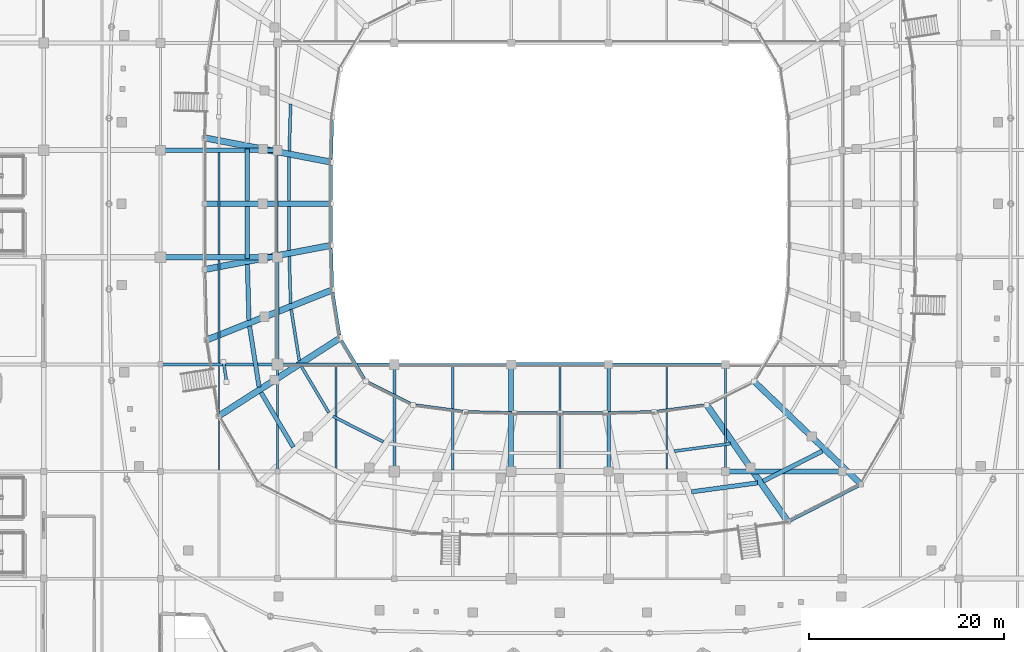
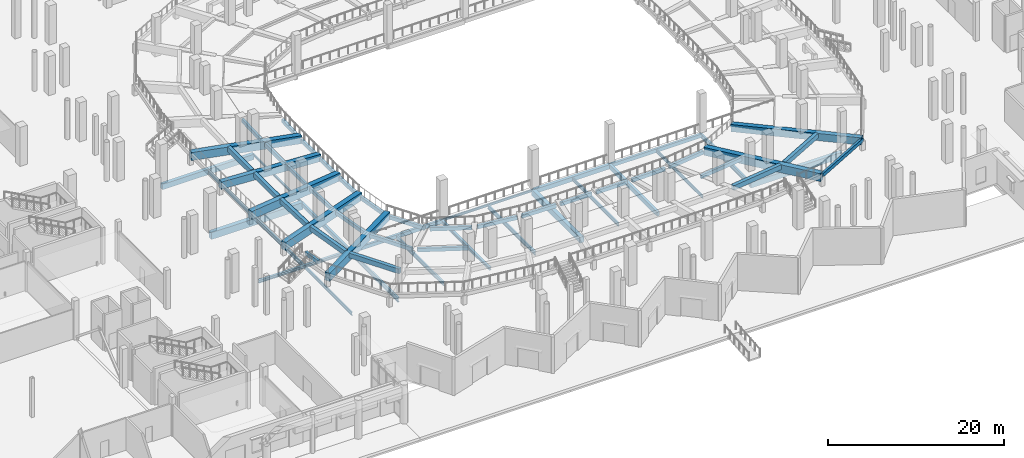
# One storey, part 20 of 120: 59 beams.
"""IFC4 building model written with IfcOpenShell, lengths in metres."""

from ifc_helpers import new_model, si_unit, direction, frame, origin, origin_2d, place, context, subcontext, project, spatial, rectangle, hollow_rectangle, i_section, extrude, material, material_profile, profile_set, type_object, element, save


model = new_model("IFC4")

# Units and contexts
model_context = context("Model", 3, precision=1e-05, world=origin(), true_north=direction((0.0, 1.0)))
body_context = subcontext(model_context, "Body", "Model", "MODEL_VIEW")
ifc_project = project(units=[si_unit("LENGTHUNIT", "METRE"), si_unit("AREAUNIT", "SQUARE_METRE"), si_unit("VOLUMEUNIT", "CUBIC_METRE"), si_unit("PLANEANGLEUNIT", "RADIAN"), si_unit("MASSUNIT", "GRAM", prefix="KILO")], contexts=[model_context])

# Site, building, storey
site_placement = place(None, origin())
site = spatial("IfcSite", under=ifc_project, at=site_placement, CompositionType="ELEMENT")
building_placement = place(site_placement, origin())
building = spatial("IfcBuilding", under=site, at=building_placement, Name="Luwafu Chhajja Arena", CompositionType="ELEMENT")
storey_placement = place(building_placement, origin())
storey = spatial("IfcBuildingStorey", under=building, at=storey_placement, Name="L00", CompositionType="ELEMENT", Elevation=0.0)

# Beams
ifc_material_1 = material(Name="Concrete C35/45", Category="concrete")
ifc_material_profile_1 = material_profile(ifc_material_1, rectangle(XDim=0.35009765625, YDim=0.60009765625, at=origin_2d()), Name="RC 350x600")
ifc_profile_set_1 = profile_set([ifc_material_profile_1], Name="Concrete C35/45")
beam_type_1 = type_object("IfcBeamType", Name="Arcade Tie Beam RC 350x600", PredefinedType="BEAM", material=ifc_profile_set_1)
beam_1_placement = place(storey_placement, frame((104.0, 22.0, -0.64990234375), z_axis=(0.0, 1.0, 0.0), x_axis=(-1.0, 0.0, 0.0)))
element("IfcBeam", 1, at=beam_1_placement, inside=storey, type_object=beam_type_1, Name="L00 Grid Beam 10/C-D", PredefinedType="BEAM", context=body_context, shape_type="SweptSolid", body=[
    extrude(rectangle(XDim=0.35009765625, YDim=0.60009765625, at=origin_2d()), origin(), (0.0, 0.0, 1.0), 11.0),
])
ifc_material_2 = material(Name="Precast concrete C40/50", Category="concrete")
ifc_material_profile_2 = material_profile(ifc_material_2, rectangle(XDim=0.449951171875, YDim=0.64990234375, at=origin_2d()), Name="RC 450x650")
ifc_profile_set_2 = profile_set([ifc_material_profile_2], Name="Precast concrete C40/50")
beam_type_2 = type_object("IfcBeamType", Name="Bowl Tier Ring Beam RC 450x650", PredefinedType="BEAM", material=ifc_profile_set_2)
for number, where, z_axis, x_axis, name in (
    (2, (66.908203125, 55.12109375, 1.304931640625), (-0.001469573614, -0.999998920176, 0.0), (0.999998920176, -0.001469573614, 0.0), "Lower Tier Ring Beam S16-B3"),
    (3, (66.900390625, 49.195068359375, 1.304931640625), (0.001469573614, -0.999998920176, 0.0), (0.999998920176, 0.001469573614, 0.0), "Lower Tier Ring Beam S17-B3"),
):
    element("IfcBeam", number, at=place(storey_placement, frame(where, z_axis=z_axis, x_axis=x_axis)), inside=storey, type_object=beam_type_2, Name=name, PredefinedType="BEAM", context=body_context, shape_type="SweptSolid", body=[
        extrude(rectangle(XDim=0.449951171875, YDim=0.64990234375, at=origin_2d()), origin(), (0.0, 0.0, 1.0), 5.316162109375),
    ])
beam_2_placement = place(storey_placement, frame((66.917236328125, 43.26904296875, 1.304931640625), z_axis=(0.02790877048, -0.9996104744, 0.0), x_axis=(0.9996104744, 0.02790877048, 0.0)))
element("IfcBeam", 4, at=beam_2_placement, inside=storey, type_object=beam_type_2, Name="Lower Tier Ring Beam S18-B3", PredefinedType="BEAM", context=body_context, shape_type="SweptSolid", body=[
    extrude(rectangle(XDim=0.449951171875, YDim=0.64990234375, at=origin_2d()), origin(), (0.0, 0.0, 1.0), 5.738525390625),
])
beam_3_placement = place(storey_placement, frame((67.13330078125, 36.926513671875, 1.304931640625), z_axis=(0.155447556013, -0.987844146275, 0.0), x_axis=(0.987844146275, 0.155447556013, 0.0)))
element("IfcBeam", 5, at=beam_3_placement, inside=storey, type_object=beam_type_2, Name="Lower Tier Ring Beam S19-B3", PredefinedType="BEAM", context=body_context, shape_type="SweptSolid", body=[
    extrude(rectangle(XDim=0.449951171875, YDim=0.64990234375, at=origin_2d()), origin(), (0.0, 0.0, 1.0), 6.329345703125),
])
beam_4_placement = place(storey_placement, frame((68.319580078125, 30.110107421875, 1.304931640625), z_axis=(0.507802544164, -0.861473491258, 0.0), x_axis=(0.861473491258, 0.507802544164, 0.0)))
element("IfcBeam", 6, at=beam_4_placement, inside=storey, type_object=beam_type_2, Name="Lower Tier Ring Beam S20-B3", PredefinedType="BEAM", context=body_context, shape_type="SweptSolid", body=[
    extrude(rectangle(XDim=0.449951171875, YDim=0.64990234375, at=origin_2d()), origin(), (0.0, 0.0, 1.0), 6.516357421875),
])
beam_5_placement = place(storey_placement, frame((112.521484375, 19.91357421875, 1.304931640625), z_axis=(0.990929994437, 0.134379113429, 0.0), x_axis=(-0.134379113429, 0.990929994437, 0.0)))
element("IfcBeam", 7, at=beam_5_placement, inside=storey, type_object=beam_type_2, Name="Lower Tier Ring Beam S27-B3", PredefinedType="BEAM", context=body_context, shape_type="SweptSolid", body=[
    extrude(rectangle(XDim=0.449951171875, YDim=0.64990234375, at=origin_2d()), origin(), (0.0, 0.0, 1.0), 6.842041015625),
])
beam_6_placement = place(storey_placement, frame((119.87548828125, 21.01220703125, 1.304931640625), z_axis=(0.891546916396, 0.452928356216, 0.0), x_axis=(-0.452928356216, 0.891546916396, 0.0)))
element("IfcBeam", 8, at=beam_6_placement, inside=storey, type_object=beam_type_2, Name="Lower Tier Ring Beam S28-B3", PredefinedType="BEAM", context=body_context, shape_type="SweptSolid", body=[
    extrude(rectangle(XDim=0.449951171875, YDim=0.64990234375, at=origin_2d()), origin(), (0.0, 0.0, 1.0), 6.807373046875),
])
ifc_material_3 = material(Name="Steel S355", Category="steel")
ifc_material_profile_3 = material_profile(ifc_material_3, i_section(OverallWidth=0.165771484375, OverallDepth=0.306640625, WebThickness=0.006591796875, FlangeThickness=0.01171875, at=origin_2d()), Name="UB 305x165x46")
ifc_profile_set_3 = profile_set([ifc_material_profile_3], Name="Steel S355")
beam_type_3 = type_object("IfcBeamType", Name="Concourse Edge Spandrel Beam UB 305x165x46", PredefinedType="SPANDREL", material=ifc_profile_set_3)
beam_7_placement = place(storey_placement, frame((82.0, 33.0, -0.50341796875), z_axis=(1.0, 0.0, 0.0), x_axis=(0.0, 1.0, 0.0)))
element("IfcBeam", 9, at=beam_7_placement, inside=storey, type_object=beam_type_3, Name="L00 Grid Beam 8-9/D", PredefinedType="SPANDREL", context=body_context, shape_type="SweptSolid", body=[
    extrude(i_section(OverallWidth=0.165771484375, OverallDepth=0.306640625, WebThickness=0.006591796875, FlangeThickness=0.01171875, at=origin_2d()), origin(), (0.0, 0.0, 1.0), 12.0),
])
beam_8_placement = place(storey_placement, frame((70.0, 44.0, -0.50341796875), z_axis=(0.0, 1.0, 0.0), x_axis=(-1.0, 0.0, 0.0)))
element("IfcBeam", 10, at=beam_8_placement, inside=storey, type_object=beam_type_3, Name="L00 Grid Beam 7/E-F", PredefinedType="SPANDREL", context=body_context, shape_type="SweptSolid", body=[
    extrude(i_section(OverallWidth=0.165771484375, OverallDepth=0.306640625, WebThickness=0.006591796875, FlangeThickness=0.01171875, at=origin_2d()), origin(), (0.0, 0.0, 1.0), 11.0),
])
ifc_material_profile_4 = material_profile(ifc_material_1, rectangle(XDim=0.550048828125, YDim=0.949951171875, at=origin_2d()), Name="RC 550x950")
ifc_profile_set_4 = profile_set([ifc_material_profile_4], Name="Concrete C35/45")
beam_type_4 = type_object("IfcBeamType", Name="Concourse Radial Girder RC 550x950", PredefinedType="BEAM", material=ifc_profile_set_4)
beam_9_placement = place(storey_placement, frame((58.0, 44.0, -0.824951171875), z_axis=(1.0, 0.0, 0.0), x_axis=(0.0, 1.0, 0.0)))
element("IfcBeam", 11, at=beam_9_placement, inside=storey, type_object=beam_type_4, Name="L00 Grid Beam 6-7/E", PredefinedType="BEAM", context=body_context, shape_type="SweptSolid", body=[
    extrude(rectangle(XDim=0.550048828125, YDim=0.949951171875, at=origin_2d()), origin(), (0.0, 0.0, 1.0), 12.0),
])
ifc_material_profile_5 = material_profile(ifc_material_3, i_section(OverallWidth=0.15283203125, OverallDepth=0.45458984375, WebThickness=0.008056640625, FlangeThickness=0.01318359375, at=origin_2d()), Name="UB 457x152x60")
ifc_profile_set_5 = profile_set([ifc_material_profile_5], Name="Steel S355")
beam_type_5 = type_object("IfcBeamType", Name="Floor Joist UB 457x152x60", PredefinedType="JOIST", material=ifc_profile_set_5)
beam_10_placement = place(storey_placement, frame((64.0, 22.14990234375, -0.577392578125), z_axis=(0.0, 1.0, 0.0), x_axis=(-1.0, 0.0, 0.0)))
element("IfcBeam", 12, at=beam_10_placement, inside=storey, type_object=beam_type_5, Name="L00 Secondary Joist 6-7/C", PredefinedType="JOIST", context=body_context, shape_type="SweptSolid", body=[
    extrude(i_section(OverallWidth=0.15283203125, OverallDepth=0.45458984375, WebThickness=0.008056640625, FlangeThickness=0.01318359375, at=origin_2d()), origin(), (0.0, 0.0, 1.0), 10.7001953125),
])
beam_11_placement = place(storey_placement, frame((110.0, 22.27490234375, -0.577392578125), z_axis=(0.0, 1.0, 0.0), x_axis=(-1.0, 0.0, 0.0)))
element("IfcBeam", 13, at=beam_11_placement, inside=storey, type_object=beam_type_5, Name="L00 Secondary Joist 10-11/C", PredefinedType="JOIST", context=body_context, shape_type="SweptSolid", body=[
    extrude(i_section(OverallWidth=0.15283203125, OverallDepth=0.45458984375, WebThickness=0.008056640625, FlangeThickness=0.01318359375, at=origin_2d()), origin(), (0.0, 0.0, 1.0), 10.5751953125),
])
ifc_material_profile_6 = material_profile(ifc_material_3, i_section(OverallWidth=0.19140625, OverallDepth=0.4599609375, WebThickness=0.010009765625, FlangeThickness=0.01611328125, at=origin_2d()), Name="UB 457x191x82")
ifc_profile_set_6 = profile_set([ifc_material_profile_6], Name="Steel S355")
beam_type_6 = type_object("IfcBeamType", Name="Floor Joist UB 457x191x82", PredefinedType="JOIST", material=ifc_profile_set_6)
beam_12_placement = place(storey_placement, frame((99.0, 22.300048828125, -0.580078125), z_axis=(0.0, 1.0, 0.0), x_axis=(-1.0, 0.0, 0.0)))
element("IfcBeam", 14, at=beam_12_placement, inside=storey, type_object=beam_type_6, Name="L00 Secondary Joist 9-10/C", PredefinedType="JOIST", context=body_context, shape_type="SweptSolid", body=[
    extrude(i_section(OverallWidth=0.19140625, OverallDepth=0.4599609375, WebThickness=0.010009765625, FlangeThickness=0.01611328125, at=origin_2d()), origin(), (0.0, 0.0, 1.0), 10.5),
])
ifc_material_profile_7 = material_profile(ifc_material_3, i_section(OverallWidth=0.2099609375, OverallDepth=0.53662109375, WebThickness=0.0107421875, FlangeThickness=0.017333984375, at=origin_2d()), Name="UB 533x210x101")
ifc_profile_set_7 = profile_set([ifc_material_profile_7], Name="Steel S355")
beam_type_7 = type_object("IfcBeamType", Name="Floor Joist UB 533x210x101", PredefinedType="JOIST", material=ifc_profile_set_7)
beam_13_placement = place(storey_placement, frame((64.0, 33.14990234375, -0.618408203125), z_axis=(0.0, 1.0, 0.0), x_axis=(-1.0, 0.0, 0.0)))
element("IfcBeam", 15, at=beam_13_placement, inside=storey, type_object=beam_type_7, Name="L00 Secondary Joist 6-7/D", PredefinedType="JOIST", context=body_context, shape_type="SweptSolid", body=[
    extrude(i_section(OverallWidth=0.2099609375, OverallDepth=0.53662109375, WebThickness=0.0107421875, FlangeThickness=0.017333984375, at=origin_2d()), origin(), (0.0, 0.0, 1.0), 10.5751953125),
])
beam_14_placement = place(storey_placement, frame((76.0, 22.14990234375, -0.618408203125), z_axis=(0.0, 1.0, 0.0), x_axis=(-1.0, 0.0, 0.0)))
element("IfcBeam", 16, at=beam_14_placement, inside=storey, type_object=beam_type_7, Name="L00 Secondary Joist 7-8/C", PredefinedType="JOIST", context=body_context, shape_type="SweptSolid", body=[
    extrude(i_section(OverallWidth=0.2099609375, OverallDepth=0.53662109375, WebThickness=0.0107421875, FlangeThickness=0.017333984375, at=origin_2d()), origin(), (0.0, 0.0, 1.0), 10.7001953125),
])
ifc_material_profile_8 = material_profile(ifc_material_3, i_section(OverallWidth=0.209228515625, OverallDepth=0.533203125, WebThickness=0.010009765625, FlangeThickness=0.015625, at=origin_2d()), Name="UB 533x210x92")
ifc_profile_set_8 = profile_set([ifc_material_profile_8], Name="Steel S355")
beam_type_8 = type_object("IfcBeamType", Name="Floor Joist UB 533x210x92", PredefinedType="JOIST", material=ifc_profile_set_8)
beam_15_placement = place(storey_placement, frame((64.0, 44.27490234375, -0.616455078125), z_axis=(0.0, 1.0, 0.0), x_axis=(-1.0, 0.0, 0.0)))
element("IfcBeam", 17, at=beam_15_placement, inside=storey, type_object=beam_type_8, Name="L00 Secondary Joist 6-7/E", PredefinedType="JOIST", context=body_context, shape_type="SweptSolid", body=[
    extrude(i_section(OverallWidth=0.209228515625, OverallDepth=0.533203125, WebThickness=0.010009765625, FlangeThickness=0.015625, at=origin_2d()), origin(), (0.0, 0.0, 1.0), 10.5),
])
beam_16_placement = place(storey_placement, frame((88.0, 22.14990234375, -0.616455078125), z_axis=(0.0, 1.0, 0.0), x_axis=(-1.0, 0.0, 0.0)))
element("IfcBeam", 18, at=beam_16_placement, inside=storey, type_object=beam_type_8, Name="L00 Secondary Joist 8-9/C", PredefinedType="JOIST", context=body_context, shape_type="SweptSolid", body=[
    extrude(i_section(OverallWidth=0.209228515625, OverallDepth=0.533203125, WebThickness=0.010009765625, FlangeThickness=0.015625, at=origin_2d()), origin(), (0.0, 0.0, 1.0), 10.76708984375),
])
ifc_material_profile_9 = material_profile(ifc_material_1, rectangle(XDim=0.5, YDim=0.800048828125, at=origin_2d()), Name="RC 500x800")
ifc_profile_set_9 = profile_set([ifc_material_profile_9], Name="Concrete C35/45")
beam_type_9 = type_object("IfcBeamType", Name="Hospitality Primary Beam RC 500x800", PredefinedType="BEAM", material=ifc_profile_set_9)
beam_17_placement = place(storey_placement, frame((116.0, 22.0, -0.75), z_axis=(1.0, 0.0, 0.0), x_axis=(0.0, 1.0, 0.0)))
element("IfcBeam", 19, at=beam_17_placement, inside=storey, type_object=beam_type_9, Name="L00 Grid Beam 11-12/C", PredefinedType="BEAM", context=body_context, shape_type="SweptSolid", body=[
    extrude(rectangle(XDim=0.5, YDim=0.800048828125, at=origin_2d()), origin(), (0.0, 0.0, 1.0), 12.0),
])
beam_18_placement = place(storey_placement, frame((94.0, 22.0, -0.75), z_axis=(0.0, 1.0, 0.0), x_axis=(-1.0, 0.0, 0.0)))
element("IfcBeam", 20, at=beam_18_placement, inside=storey, type_object=beam_type_9, Name="L00 Grid Beam 9/C-D", PredefinedType="BEAM", context=body_context, shape_type="SweptSolid", body=[
    extrude(rectangle(XDim=0.5, YDim=0.800048828125, at=origin_2d()), origin(), (0.0, 0.0, 1.0), 11.0),
])
ifc_material_profile_10 = material_profile(ifc_material_3, hollow_rectangle(XDim=0.300048828125, YDim=0.5, WallThickness=0.02001953125, at=origin_2d()), Name="RHS 500x300x20")
ifc_profile_set_10 = profile_set([ifc_material_profile_10], Name="Steel S355")
beam_type_10 = type_object("IfcBeamType", Name="Pleated Drum Spandrel Beam RHS 500x300", PredefinedType="SPANDREL", material=ifc_profile_set_10)
for number, where, z_axis, x_axis, name in (
    (21, (70.0, 33.0, -0.60009765625), (1.0, 0.0, 0.0), (0.0, 1.0, 0.0), "L00 Grid Beam 7-8/D"),
    (22, (104.0, 33.0, -0.60009765625), (1.0, 0.0, 0.0), (0.0, 1.0, 0.0), "L00 Grid Beam 10-11/D"),
):
    element("IfcBeam", number, at=place(storey_placement, frame(where, z_axis=z_axis, x_axis=x_axis)), inside=storey, type_object=beam_type_10, Name=name, PredefinedType="SPANDREL", context=body_context, shape_type="SweptSolid", body=[
        extrude(hollow_rectangle(XDim=0.300048828125, YDim=0.5, WallThickness=0.02001953125, at=origin_2d()), origin(), (0.0, 0.0, 1.0), 12.0),
    ])
beam_19_placement = place(storey_placement, frame((70.0, 33.0, -0.60009765625), z_axis=(0.0, 1.0, 0.0), x_axis=(-1.0, 0.0, 0.0)))
element("IfcBeam", 23, at=beam_19_placement, inside=storey, type_object=beam_type_10, Name="L00 Grid Beam 7/D-E", PredefinedType="SPANDREL", context=body_context, shape_type="SweptSolid", body=[
    extrude(hollow_rectangle(XDim=0.300048828125, YDim=0.5, WallThickness=0.02001953125, at=origin_2d()), origin(), (0.0, 0.0, 1.0), 11.0),
])
ifc_material_profile_11 = material_profile(ifc_material_1, rectangle(XDim=0.39990234375, YDim=0.60009765625, at=origin_2d()), Name="RC 400x600")
ifc_profile_set_11 = profile_set([ifc_material_profile_11], Name="Concrete C35/45")
beam_type_11 = type_object("IfcBeamType", Name="Podium Perimeter Spandrel RC 400x600", PredefinedType="SPANDREL", material=ifc_profile_set_11)
beam_20_placement = place(storey_placement, frame((94.0, 33.0, -0.64990234375), z_axis=(1.0, 0.0, 0.0), x_axis=(0.0, 1.0, 0.0)))
element("IfcBeam", 24, at=beam_20_placement, inside=storey, type_object=beam_type_11, Name="L00 Grid Beam 9-10/D", PredefinedType="SPANDREL", context=body_context, shape_type="SweptSolid", body=[
    extrude(rectangle(XDim=0.39990234375, YDim=0.60009765625, at=origin_2d()), origin(), (0.0, 0.0, 1.0), 10.0),
])
ifc_material_4 = material(Name="Precast concrete C45/55", Category="concrete")
ifc_material_profile_12 = material_profile(ifc_material_4, rectangle(XDim=0.60009765625, YDim=1.0, at=origin_2d()), Name="PC 600x1000")
ifc_profile_set_12 = profile_set([ifc_material_profile_12], Name="Precast concrete C45/55")
beam_type_12 = type_object("IfcBeamType", Name="Precast Corner Bowl Raker PC 600x1000", PredefinedType="USERDEFINED", material=ifc_profile_set_12)
beam_21_placement = place(storey_placement, frame((75.5, 49.5, 0.580078125), z_axis=(-0.998553642087, 0.0, 0.053764522458), x_axis=(0.0, -1.0, 0.0)))
element("IfcBeam", 25, at=beam_21_placement, inside=storey, type_object=beam_type_12, Name="Lower Bowl Raker RKR-L17", ObjectType="RAKER", PredefinedType="USERDEFINED", context=body_context, shape_type="SweptSolid", body=[
    extrude(rectangle(XDim=0.60009765625, YDim=1.0, at=origin_2d()), origin(), (0.0, 0.0, 1.0), 13.018798828125),
])
beam_22_placement = place(storey_placement, frame((118.9248046875, 31.27099609375, 0.580078125), z_axis=(0.720075668487, -0.692387198367, 0.045727444604), x_axis=(0.693112226125, 0.720829690007, 0.0)))
element("IfcBeam", 26, at=beam_22_placement, inside=storey, type_object=beam_type_12, Name="Lower Bowl Raker RKR-L29", ObjectType="RAKER", PredefinedType="USERDEFINED", context=body_context, shape_type="SweptSolid", body=[
    extrude(rectangle(XDim=0.60009765625, YDim=1.0, at=origin_2d()), origin(), (0.0, 0.0, 1.0), 15.30712890625),
])
ifc_material_profile_13 = material_profile(ifc_material_4, rectangle(XDim=0.64990234375, YDim=1.10009765625, at=origin_2d()), Name="PC 650x1100")
ifc_profile_set_13 = profile_set([ifc_material_profile_13], Name="Precast concrete C45/55")
beam_type_13 = type_object("IfcBeamType", Name="Precast Lower Bowl Raker PC 650x1100", PredefinedType="USERDEFINED", material=ifc_profile_set_13)
for number, where, z_axis, x_axis, name in (
    (27, (75.50634765625, 53.775390625, 0.530029296875), (-0.980823903509, 0.187600950248, 0.052823799289), (-0.187863235788, -0.982195196811, 0.0), "Lower Bowl Raker RKR-L16"),
    (28, (75.50634765625, 45.224609375, 0.530029296875), (-0.980823903509, -0.187600950248, 0.052823799289), (0.187863235788, -0.982195196811, 0.0), "Lower Bowl Raker RKR-L18"),
):
    element("IfcBeam", number, at=place(storey_placement, frame(where, z_axis=z_axis, x_axis=x_axis)), inside=storey, type_object=beam_type_13, Name=name, ObjectType="RAKER", PredefinedType="USERDEFINED", context=body_context, shape_type="SweptSolid", body=[
        extrude(rectangle(XDim=0.64990234375, YDim=1.10009765625, at=origin_2d()), origin(), (0.0, 0.0, 1.0), 13.250732421875),
    ])
beam_23_placement = place(storey_placement, frame((75.635986328125, 40.64599609375, 0.530029296875), z_axis=(-0.927852740842, -0.369546185128, 0.050248466339), x_axis=(0.370013605587, -0.9290263353, 0.0)))
element("IfcBeam", 29, at=beam_23_placement, inside=storey, type_object=beam_type_13, Name="Lower Bowl Raker RKR-L19", ObjectType="RAKER", PredefinedType="USERDEFINED", context=body_context, shape_type="SweptSolid", body=[
    extrude(rectangle(XDim=0.64990234375, YDim=1.10009765625, at=origin_2d()), origin(), (0.0, 0.0, 1.0), 13.9296875),
])
beam_24_placement = place(storey_placement, frame((76.42578125, 35.7001953125, 0.530029296875), z_axis=(-0.840387777065, -0.539934770629, 0.047104433174), x_axis=(0.540534780395, -0.84132166927, 0.0)))
element("IfcBeam", 30, at=beam_24_placement, inside=storey, type_object=beam_type_13, Name="Lower Bowl Raker RKR-L20", ObjectType="RAKER", PredefinedType="USERDEFINED", context=body_context, shape_type="SweptSolid", body=[
    extrude(rectangle(XDim=0.64990234375, YDim=1.10009765625, at=origin_2d()), origin(), (0.0, 0.0, 1.0), 14.859619140625),
])
beam_25_placement = place(storey_placement, frame((114.08349609375, 28.846923828125, 0.530029296875), z_axis=(0.570003729525, -0.820249676085, 0.047814403785), x_axis=(0.821188921344, 0.570656425059, 0.0)))
element("IfcBeam", 31, at=beam_25_placement, inside=storey, type_object=beam_type_13, Name="Lower Bowl Raker RKR-L28", ObjectType="RAKER", PredefinedType="USERDEFINED", context=body_context, shape_type="SweptSolid", body=[
    extrude(rectangle(XDim=0.64990234375, YDim=1.10009765625, at=origin_2d()), origin(), (0.0, 0.0, 1.0), 14.638916015625),
])
ifc_material_profile_14 = material_profile(ifc_material_3, i_section(OverallWidth=0.22900390625, OverallDepth=0.6123046875, WebThickness=0.011962890625, FlangeThickness=0.01953125, at=origin_2d()), Name="UB 610x229x125")
ifc_profile_set_14 = profile_set([ifc_material_profile_14], Name="Steel S355")
beam_type_14 = type_object("IfcBeamType", Name="Steel Mezzanine Girder UB 610x229x125", PredefinedType="BEAM", material=ifc_profile_set_14)
for number, where, z_axis, x_axis, name in (
    (32, (70.0, 22.0, -0.656005859375), (0.0, 1.0, 0.0), (-1.0, 0.0, 0.0), "L00 Grid Beam 7/C-D"),
    (33, (116.0, 22.0, -0.656005859375), (0.0, 1.0, 0.0), (-1.0, 0.0, 0.0), "L00 Grid Beam 11/C-D"),
):
    element("IfcBeam", number, at=place(storey_placement, frame(where, z_axis=z_axis, x_axis=x_axis)), inside=storey, type_object=beam_type_14, Name=name, PredefinedType="BEAM", context=body_context, shape_type="SweptSolid", body=[
        extrude(i_section(OverallWidth=0.22900390625, OverallDepth=0.6123046875, WebThickness=0.011962890625, FlangeThickness=0.01953125, at=origin_2d()), origin(), (0.0, 0.0, 1.0), 11.0),
    ])
ifc_material_profile_15 = material_profile(ifc_material_3, i_section(OverallWidth=0.300048828125, OverallDepth=0.39990234375, WebThickness=0.013427734375, FlangeThickness=0.02392578125, at=origin_2d()), Name="HEB 400")
ifc_profile_set_15 = profile_set([ifc_material_profile_15], Name="Steel S355")
beam_type_15 = type_object("IfcBeamType", Name="Steel Rigging Grid Beam HEB 400", PredefinedType="BEAM", material=ifc_profile_set_15)
beam_26_placement = place(storey_placement, frame((58.0, 33.0, -0.550048828125), z_axis=(1.0, 0.0, 0.0), x_axis=(0.0, 1.0, 0.0)))
element("IfcBeam", 34, at=beam_26_placement, inside=storey, type_object=beam_type_15, Name="L00 Grid Beam 6-7/D", PredefinedType="BEAM", context=body_context, shape_type="SweptSolid", body=[
    extrude(i_section(OverallWidth=0.300048828125, OverallDepth=0.39990234375, WebThickness=0.013427734375, FlangeThickness=0.02392578125, at=origin_2d()), origin(), (0.0, 0.0, 1.0), 12.0),
])
beam_27_placement = place(storey_placement, frame((82.0, 22.0, -0.550048828125), z_axis=(0.0, 1.0, 0.0), x_axis=(-1.0, 0.0, 0.0)))
element("IfcBeam", 35, at=beam_27_placement, inside=storey, type_object=beam_type_15, Name="L00 Grid Beam 8/C-D", PredefinedType="BEAM", context=body_context, shape_type="SweptSolid", body=[
    extrude(i_section(OverallWidth=0.300048828125, OverallDepth=0.39990234375, WebThickness=0.013427734375, FlangeThickness=0.02392578125, at=origin_2d()), origin(), (0.0, 0.0, 1.0), 11.0),
])
ifc_material_profile_16 = material_profile(ifc_material_2, rectangle(XDim=0.300048828125, YDim=0.5, at=origin_2d()), Name="RC 300x500")
ifc_profile_set_16 = profile_set([ifc_material_profile_16], Name="Precast concrete C40/50")
beam_type_16 = type_object("IfcBeamType", Name="Tier Support Beam RC 300x500", PredefinedType="BEAM", material=ifc_profile_set_16)
beam_28_placement = place(storey_placement, frame((75.62744140625, 58.049072265625, 0.3798828125), z_axis=(-0.028347363386, -0.999598132746, 0.0), x_axis=(0.999598132746, -0.028347363386, 0.0)))
element("IfcBeam", 36, at=beam_28_placement, inside=storey, type_object=beam_type_16, Name="Lower Tier Ring Beam S15-B1", PredefinedType="BEAM", context=body_context, shape_type="SweptSolid", body=[
    extrude(rectangle(XDim=0.300048828125, YDim=0.5, at=origin_2d()), origin(), (0.0, 0.0, 1.0), 3.970458984375),
])
beam_29_placement = place(storey_placement, frame((71.352294921875, 59.737548828125, 0.8798828125), z_axis=(-0.028125214785, -0.9996044079, 0.0), x_axis=(0.9996044079, -0.028125214785, 0.0)))
element("IfcBeam", 37, at=beam_29_placement, inside=storey, type_object=beam_type_16, Name="Lower Tier Ring Beam S15-B2", PredefinedType="BEAM", context=body_context, shape_type="SweptSolid", body=[
    extrude(rectangle(XDim=0.300048828125, YDim=0.5, at=origin_2d()), origin(), (0.0, 0.0, 1.0), 4.84375),
])
beam_30_placement = place(storey_placement, frame((75.505859375, 53.470458984375, 0.3798828125), z_axis=(-0.001465297481, -0.999998926451, 0.0), x_axis=(0.999998926451, -0.001465297481, 0.0)))
element("IfcBeam", 38, at=beam_30_placement, inside=storey, type_object=beam_type_16, Name="Lower Tier Ring Beam S16-B1", PredefinedType="BEAM", context=body_context, shape_type="SweptSolid", body=[
    extrude(rectangle(XDim=0.300048828125, YDim=0.5, at=origin_2d()), origin(), (0.0, 0.0, 1.0), 3.66552734375),
])
beam_31_placement = place(storey_placement, frame((71.20703125, 54.285888671875, 0.8798828125), z_axis=(-0.001471067385, -0.99999891798, 0.0), x_axis=(0.99999891798, -0.001471067385, 0.0)))
element("IfcBeam", 39, at=beam_31_placement, inside=storey, type_object=beam_type_16, Name="Lower Tier Ring Beam S16-B2", PredefinedType="BEAM", context=body_context, shape_type="SweptSolid", body=[
    extrude(rectangle(XDim=0.300048828125, YDim=0.5, at=origin_2d()), origin(), (0.0, 0.0, 1.0), 4.48095703125),
])
beam_32_placement = place(storey_placement, frame((75.50048828125, 49.195068359375, 0.3798828125), z_axis=(0.001465297481, -0.999998926451, 0.0), x_axis=(0.999998926451, 0.001465297481, 0.0)))
element("IfcBeam", 40, at=beam_32_placement, inside=storey, type_object=beam_type_16, Name="Lower Tier Ring Beam S17-B1", PredefinedType="BEAM", context=body_context, shape_type="SweptSolid", body=[
    extrude(rectangle(XDim=0.300048828125, YDim=0.5, at=origin_2d()), origin(), (0.0, 0.0, 1.0), 3.66552734375),
])
beam_33_placement = place(storey_placement, frame((71.200439453125, 49.195068359375, 0.8798828125), z_axis=(0.001471067385, -0.99999891798, 0.0), x_axis=(0.99999891798, 0.001471067385, 0.0)))
element("IfcBeam", 41, at=beam_33_placement, inside=storey, type_object=beam_type_16, Name="Lower Tier Ring Beam S17-B2", PredefinedType="BEAM", context=body_context, shape_type="SweptSolid", body=[
    extrude(rectangle(XDim=0.300048828125, YDim=0.5, at=origin_2d()), origin(), (0.0, 0.0, 1.0), 4.48095703125),
])
beam_34_placement = place(storey_placement, frame((75.514892578125, 44.919677734375, 0.3798828125), z_axis=(0.028347363386, -0.999598132746, 0.0), x_axis=(0.999598132746, 0.028347363386, 0.0)))
element("IfcBeam", 42, at=beam_34_placement, inside=storey, type_object=beam_type_16, Name="Lower Tier Ring Beam S18-B1", PredefinedType="BEAM", context=body_context, shape_type="SweptSolid", body=[
    extrude(rectangle(XDim=0.300048828125, YDim=0.5, at=origin_2d()), origin(), (0.0, 0.0, 1.0), 3.970458984375),
])
beam_35_placement = place(storey_placement, frame((71.216064453125, 44.104248046875, 0.8798828125), z_axis=(0.028125214785, -0.9996044079, 0.0), x_axis=(0.9996044079, 0.028125214785, 0.0)))
element("IfcBeam", 43, at=beam_35_placement, inside=storey, type_object=beam_type_16, Name="Lower Tier Ring Beam S18-B2", PredefinedType="BEAM", context=body_context, shape_type="SweptSolid", body=[
    extrude(rectangle(XDim=0.300048828125, YDim=0.5, at=origin_2d()), origin(), (0.0, 0.0, 1.0), 4.84375),
])
beam_36_placement = place(storey_placement, frame((75.68408203125, 40.3447265625, 0.3798828125), z_axis=(0.157689589351, -0.987488730776, 0.0), x_axis=(0.987488730776, 0.157689589351, 0.0)))
element("IfcBeam", 44, at=beam_36_placement, inside=storey, type_object=beam_type_16, Name="Lower Tier Ring Beam S19-B1", PredefinedType="BEAM", context=body_context, shape_type="SweptSolid", body=[
    extrude(rectangle(XDim=0.300048828125, YDim=0.5, at=origin_2d()), origin(), (0.0, 0.0, 1.0), 4.3984375),
])
beam_37_placement = place(storey_placement, frame((71.40869140625, 38.65625, 0.8798828125), z_axis=(0.156672208584, -0.987650656385, 0.0), x_axis=(0.987650656385, 0.156672208584, 0.0)))
element("IfcBeam", 45, at=beam_37_placement, inside=storey, type_object=beam_type_16, Name="Lower Tier Ring Beam S19-B2", PredefinedType="BEAM", context=body_context, shape_type="SweptSolid", body=[
    extrude(rectangle(XDim=0.300048828125, YDim=0.5, at=origin_2d()), origin(), (0.0, 0.0, 1.0), 5.352783203125),
])
beam_38_placement = place(storey_placement, frame((64.442138671875, 33.374267578125, 0.89990234375), z_axis=(0.154975894231, -0.987918251784, 0.0), x_axis=(0.987918251784, 0.154975894231, 0.0)))
element("IfcBeam", 46, at=beam_38_placement, inside=storey, type_object=beam_type_16, Name="L00 Vomitory Header Beam S19", PredefinedType="BEAM", context=body_context, shape_type="SweptSolid", body=[
    extrude(rectangle(XDim=0.300048828125, YDim=0.5, at=origin_2d()), origin(), (0.0, 0.0, 1.0), 2.300048828125),
])
beam_39_placement = place(storey_placement, frame((76.58251953125, 35.4384765625, 0.3798828125), z_axis=(0.513319836425, -0.858197381453, 0.0), x_axis=(0.858197381453, 0.513319836425, 0.0)))
element("IfcBeam", 47, at=beam_39_placement, inside=storey, type_object=beam_type_16, Name="Lower Tier Ring Beam S20-B1", PredefinedType="BEAM", context=body_context, shape_type="SweptSolid", body=[
    extrude(rectangle(XDim=0.300048828125, YDim=0.5, at=origin_2d()), origin(), (0.0, 0.0, 1.0), 4.551025390625),
])
beam_40_placement = place(storey_placement, frame((72.450927734375, 32.806396484375, 0.8798828125), z_axis=(0.510904210023, -0.85963764935, 0.0), x_axis=(0.85963764935, 0.510904210023, 0.0)))
element("IfcBeam", 48, at=beam_40_placement, inside=storey, type_object=beam_type_16, Name="Lower Tier Ring Beam S20-B2", PredefinedType="BEAM", context=body_context, shape_type="SweptSolid", body=[
    extrude(rectangle(XDim=0.300048828125, YDim=0.5, at=origin_2d()), origin(), (0.0, 0.0, 1.0), 5.52490234375),
])
beam_41_placement = place(storey_placement, frame((79.347900390625, 31.134521484375, 0.3798828125), z_axis=(0.89416279035, -0.447742006466, 0.0), x_axis=(0.447742006466, 0.89416279035, 0.0)))
element("IfcBeam", 49, at=beam_41_placement, inside=storey, type_object=beam_type_16, Name="Lower Tier Ring Beam S21-B1", PredefinedType="BEAM", context=body_context, shape_type="SweptSolid", body=[
    extrude(rectangle(XDim=0.300048828125, YDim=0.5, at=origin_2d()), origin(), (0.0, 0.0, 1.0), 4.804443359375),
])
beam_42_placement = place(storey_placement, frame((75.701904296875, 27.657470703125, 0.8798828125), z_axis=(0.893009121174, -0.450038564459, 0.0), x_axis=(0.450038564459, 0.893009121174, 0.0)))
element("IfcBeam", 50, at=beam_42_placement, inside=storey, type_object=beam_type_16, Name="Lower Tier Ring Beam S21-B2", PredefinedType="BEAM", context=body_context, shape_type="SweptSolid", body=[
    extrude(rectangle(XDim=0.300048828125, YDim=0.5, at=origin_2d()), origin(), (0.0, 0.0, 1.0), 5.802978515625),
])
beam_43_placement = place(storey_placement, frame((84.21875, 28.806640625, 0.3798828125), z_axis=(0.991182503629, -0.132503752773, 0.0), x_axis=(0.132503752773, 0.991182503629, 0.0)))
element("IfcBeam", 51, at=beam_43_placement, inside=storey, type_object=beam_type_16, Name="Lower Tier Ring Beam S22-B1", PredefinedType="BEAM", context=body_context, shape_type="SweptSolid", body=[
    extrude(rectangle(XDim=0.300048828125, YDim=0.5, at=origin_2d()), origin(), (0.0, 0.0, 1.0), 4.843994140625),
])
beam_44_placement = place(storey_placement, frame((89.627197265625, 28.1171875, 0.3798828125), z_axis=(0.999718778021, -0.023714233555, 0.0), x_axis=(0.023714233555, 0.999718778021, 0.0)))
element("IfcBeam", 52, at=beam_44_placement, inside=storey, type_object=beam_type_16, Name="Lower Tier Ring Beam S23-B1", PredefinedType="BEAM", context=body_context, shape_type="SweptSolid", body=[
    extrude(rectangle(XDim=0.300048828125, YDim=0.5, at=origin_2d()), origin(), (0.0, 0.0, 1.0), 4.39599609375),
])
for number, where, z_axis, x_axis, name in (
    (53, (94.6318359375, 28.00537109375, 0.3798828125), (0.999999277952, -0.001201705555, 0.0), (0.001201705555, 0.999999277952, 0.0), "Lower Tier Ring Beam S24-B1"),
    (54, (99.304931640625, 28.00048828125, 0.3798828125), (0.999999277952, 0.001201705555, 0.0), (-0.001201705555, 0.999999277952, 0.0), "Lower Tier Ring Beam S25-B1"),
):
    element("IfcBeam", number, at=place(storey_placement, frame(where, z_axis=z_axis, x_axis=x_axis)), inside=storey, type_object=beam_type_16, Name=name, PredefinedType="BEAM", context=body_context, shape_type="SweptSolid", body=[
        extrude(rectangle(XDim=0.300048828125, YDim=0.5, at=origin_2d()), origin(), (0.0, 0.0, 1.0), 4.063232421875),
    ])
beam_45_placement = place(storey_placement, frame((103.97802734375, 28.012939453125, 0.3798828125), z_axis=(0.999718778021, 0.023714233555, 0.0), x_axis=(-0.023714233555, 0.999718778021, 0.0)))
element("IfcBeam", 55, at=beam_45_placement, inside=storey, type_object=beam_type_16, Name="Lower Tier Ring Beam S26-B1", PredefinedType="BEAM", context=body_context, shape_type="SweptSolid", body=[
    extrude(rectangle(XDim=0.300048828125, YDim=0.5, at=origin_2d()), origin(), (0.0, 0.0, 1.0), 4.39599609375),
])
beam_46_placement = place(storey_placement, frame((108.97998046875, 28.164794921875, 0.3798828125), z_axis=(0.991182503629, 0.132503752773, 0.0), x_axis=(-0.132503752773, 0.991182503629, 0.0)))
element("IfcBeam", 56, at=beam_46_placement, inside=storey, type_object=beam_type_16, Name="Lower Tier Ring Beam S27-B1", PredefinedType="BEAM", context=body_context, shape_type="SweptSolid", body=[
    extrude(rectangle(XDim=0.300048828125, YDim=0.5, at=origin_2d()), origin(), (0.0, 0.0, 1.0), 4.843994140625),
])
beam_47_placement = place(storey_placement, frame((110.750732421875, 24.0888671875, 0.8798828125), z_axis=(0.991070646103, 0.133337820715, 0.0), x_axis=(-0.133337820715, 0.991070646103, 0.0)))
element("IfcBeam", 57, at=beam_47_placement, inside=storey, type_object=beam_type_16, Name="Lower Tier Ring Beam S27-B2", PredefinedType="BEAM", context=body_context, shape_type="SweptSolid", body=[
    extrude(rectangle(XDim=0.300048828125, YDim=0.5, at=origin_2d()), origin(), (0.0, 0.0, 1.0), 5.8427734375),
])
beam_48_placement = place(storey_placement, frame((122.427734375, 16.83935546875, 1.3798828125), z_axis=(0.890911425489, 0.45417709314, 0.0), x_axis=(-0.45417709314, 0.890911425489, 0.0)))
element("IfcBeam", 58, at=beam_48_placement, inside=storey, type_object=beam_type_16, Name="Lower Tier Outer Ring Beam S28", PredefinedType="BEAM", context=body_context, shape_type="SweptSolid", body=[
    extrude(rectangle(XDim=0.300048828125, YDim=0.5, at=origin_2d()), origin(), (0.0, 0.0, 1.0), 8.43994140625),
])
ifc_material_profile_17 = material_profile(ifc_material_1, rectangle(XDim=0.449951171875, YDim=0.75, at=origin_2d()), Name="RC 450x750")
ifc_profile_set_17 = profile_set([ifc_material_profile_17], Name="Concrete C35/45")
beam_type_17 = type_object("IfcBeamType", Name="Wing Primary Beam RC 450x750", PredefinedType="BEAM", material=ifc_profile_set_17)
beam_49_placement = place(storey_placement, frame((58.0, 55.0, -0.72509765625), z_axis=(1.0, 0.0, 0.0), x_axis=(0.0, 1.0, 0.0)))
element("IfcBeam", 59, at=beam_49_placement, inside=storey, type_object=beam_type_17, Name="L00 Grid Beam 6-7/F", PredefinedType="BEAM", context=body_context, shape_type="SweptSolid", body=[
    extrude(rectangle(XDim=0.449951171875, YDim=0.75, at=origin_2d()), origin(), (0.0, 0.0, 1.0), 12.0),
])

save(model, "model.ifc")
